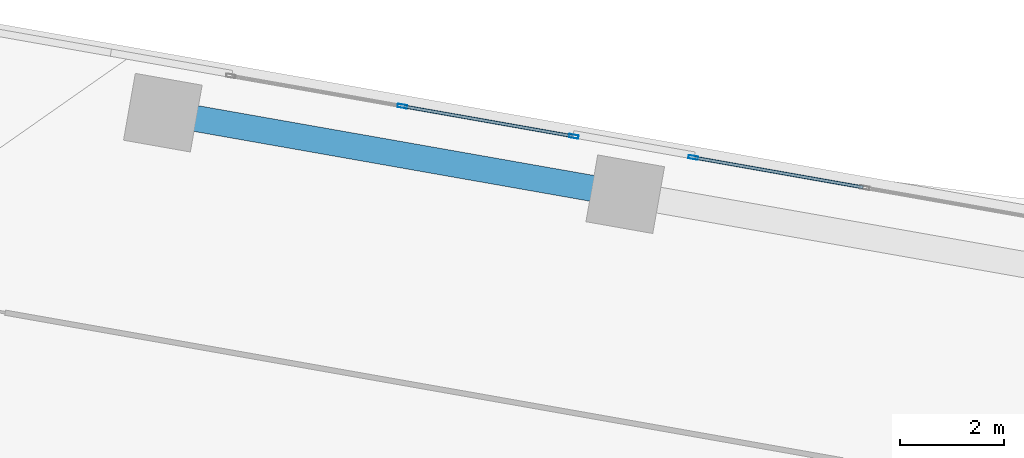
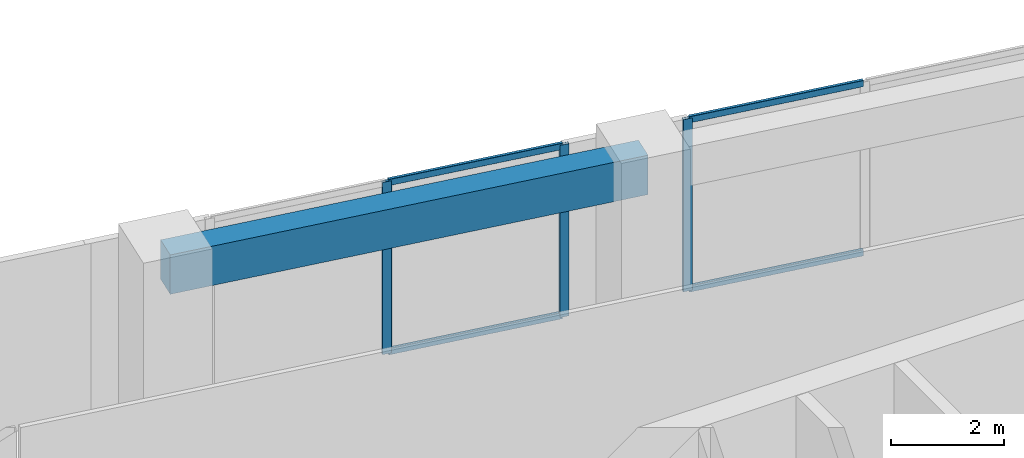
# One storey, part 15 of 24: 7 members, 1 beam, 2 elements without a shape of their own.
"""IFC4 building model written with IfcOpenShell, lengths in metres."""

from ifc_helpers import new_model, si_unit, direction, frame, origin, origin_2d, place, context, subcontext, project, spatial, rectangle, hollow_rectangle, extrude, source, transform, mapped, material, material_profile, profile_set, type_object, element, aggregate, save


model = new_model("IFC4")

# Units and contexts
model_context = context("Model", 3, precision=1e-05, world=origin(), true_north=direction((0.0, 1.0)))
body_context = subcontext(model_context, "Body", "Model", "MODEL_VIEW")
ifc_project = project(units=[si_unit("LENGTHUNIT", "METRE"), si_unit("AREAUNIT", "SQUARE_METRE"), si_unit("VOLUMEUNIT", "CUBIC_METRE"), si_unit("PLANEANGLEUNIT", "RADIAN"), si_unit("MASSUNIT", "GRAM", prefix="KILO")], contexts=[model_context])

# Site, building, storey
site_placement = place(None, origin())
site = spatial("IfcSite", under=ifc_project, at=site_placement, CompositionType="ELEMENT")
building_placement = place(site_placement, origin())
building = spatial("IfcBuilding", under=site, at=building_placement, Name="Torre Montelarca", CompositionType="ELEMENT")
storey_placement = place(building_placement, frame((0.0, 0.0, 74.800048828125)))
storey = spatial("IfcBuildingStorey", under=building, at=storey_placement, Name="L16", CompositionType="ELEMENT", Elevation=74.800048828125)

# Beam
ifc_material_1 = material(Name="Concrete C55/67", Category="concrete")
ifc_material_profile_1 = material_profile(ifc_material_1, rectangle(XDim=0.5, YDim=0.85009765625, at=origin_2d()), Name="RCB500X850", Category="concrete")
ifc_profile_set_1 = profile_set([ifc_material_profile_1], Name="Concrete C55/67")
beam_type = type_object("IfcBeamType", Name="BM-SP-RC850-EXT", PredefinedType="SPANDREL", material=ifc_profile_set_1)
shared_shape_1 = source(origin(), body_context, "Body", "SweptSolid", [
    extrude(rectangle(XDim=0.5, YDim=0.85009765625, at=origin_2d()), origin(), (0.0, 0.0, 1.0), 8.999755859375),
])
beam_placement = place(storey_placement, frame((11.82080078125, 49.09033203125, 3.534912109375), z_axis=(0.9848086733, -0.173642958372, 0.0), x_axis=(0.173642958372, 0.9848086733, 0.0)))
element("IfcBeam", 1, at=beam_placement, inside=storey, type_object=beam_type, Name="L16 Grid Girder X 9.0-18.0 at Y=47.1", PredefinedType="SPANDREL", context=body_context, shape_type="MappedRepresentation", body=[
    mapped(shared_shape_1, transform((0.0, 0.0, 0.0), scale=1.0)),
])

# Curtain wall, members
ifc_material_2 = material(Name="Insulated low-E laminated glass", Category="glass")
curtain_wall_type = type_object("IfcCurtainWallType", Name="CW-SYS-Z1", PredefinedType="USERDEFINED", material=ifc_material_2)
curtain_wall_1_placement = place(storey_placement, origin())
curtain_wall_1 = element("IfcCurtainWall", 2, at=curtain_wall_1_placement, inside=storey, type_object=curtain_wall_type, Name="L16 Curtain Wall Run CW-T3-L16-E08-B3", ObjectType="UNITISED GLAZING", PredefinedType="USERDEFINED")
ifc_material_3 = material(Name="Anodised aluminium AA 6063-T6", Category="aluminium")
ifc_material_profile_2 = material_profile(ifc_material_3, hollow_rectangle(XDim=0.06494140625, YDim=0.139892578125, WallThickness=0.00390625, InnerFilletRadius=0.00390625, OuterFilletRadius=0.008056640625, at=origin_2d()), Name="ALU65X140X4", Category="aluminium")
ifc_profile_set_2 = profile_set([ifc_material_profile_2], Name="Anodised aluminium AA 6063-T6")
member_type_1 = type_object("IfcMemberType", Name="CWT-ALU140", PredefinedType="USERDEFINED", material=ifc_profile_set_2)
shared_shape_2 = source(origin(), body_context, "Body", "SweptSolid", [
    extrude(hollow_rectangle(XDim=0.06494140625, YDim=0.139892578125, WallThickness=0.00390625, InnerFilletRadius=0.00390625, OuterFilletRadius=0.008056640625, at=origin_2d()), origin(), (0.0, 0.0, 1.0), 3.272705078125),
])
member_1_placement = place(storey_placement, frame((25.243408203125, 47.657958984375, 0.032470703125), z_axis=(-0.984816586048, 0.17359807558, 0.0), x_axis=(-0.17359807558, -0.984816586048, 0.0)))
member_1 = element("IfcMember", 3, at=member_1_placement, type_object=member_type_1, Name="CW transom 2.1", ObjectType="TRANSOM", PredefinedType="USERDEFINED", context=body_context, shape_type="MappedRepresentation", body=[
    mapped(shared_shape_2, transform((0.0, 0.0, 0.0), scale=1.0)),
])
member_2_placement = place(storey_placement, frame((25.243408203125, 47.657958984375, 3.6875), z_axis=(-0.984816586048, 0.17359807558, 0.0), x_axis=(-0.17359807558, -0.984816586048, 0.0)))
member_2 = element("IfcMember", 4, at=member_2_placement, type_object=member_type_1, Name="CW transom 2.2", ObjectType="TRANSOM", PredefinedType="USERDEFINED", context=body_context, shape_type="MappedRepresentation", body=[
    mapped(shared_shape_2, transform((0.0, 0.0, 0.0), scale=1.0)),
])

curtain_wall_2_placement = place(storey_placement, origin())
curtain_wall_2 = element("IfcCurtainWall", 5, at=curtain_wall_2_placement, inside=storey, type_object=curtain_wall_type, Name="L16 Curtain Wall Run CW-T3-L16-E08-B4", ObjectType="UNITISED GLAZING", PredefinedType="USERDEFINED")
shared_shape_3 = source(origin(), body_context, "Body", "SweptSolid", [
    extrude(hollow_rectangle(XDim=0.06494140625, YDim=0.139892578125, WallThickness=0.00390625, InnerFilletRadius=0.00390625, OuterFilletRadius=0.008056640625, at=origin_2d()), origin(), (0.0, 0.0, 1.0), 3.2724609375),
])
member_3_placement = place(storey_placement, frame((19.666748046875, 48.64111328125, 0.032470703125), z_axis=(-0.984801579175, 0.1736831876, 0.0), x_axis=(-0.1736831876, -0.984801579175, 0.0)))
member_3 = element("IfcMember", 6, at=member_3_placement, type_object=member_type_1, Name="CW transom 1.1", ObjectType="TRANSOM", PredefinedType="USERDEFINED", context=body_context, shape_type="MappedRepresentation", body=[
    mapped(shared_shape_3, transform((0.0, 0.0, 0.0), scale=1.0)),
])
member_4_placement = place(storey_placement, frame((19.666748046875, 48.64111328125, 3.6875), z_axis=(-0.984801579175, 0.1736831876, 0.0), x_axis=(-0.1736831876, -0.984801579175, 0.0)))
member_4 = element("IfcMember", 7, at=member_4_placement, type_object=member_type_1, Name="CW transom 1.2", ObjectType="TRANSOM", PredefinedType="USERDEFINED", context=body_context, shape_type="MappedRepresentation", body=[
    mapped(shared_shape_3, transform((0.0, 0.0, 0.0), scale=1.0)),
])

# Member
ifc_material_profile_3 = material_profile(ifc_material_3, hollow_rectangle(XDim=0.06494140625, YDim=0.179931640625, WallThickness=0.00390625, InnerFilletRadius=0.00390625, OuterFilletRadius=0.008056640625, at=origin_2d()), Name="ALU65X180X4", Category="aluminium")
ifc_profile_set_3 = profile_set([ifc_material_profile_3], Name="Anodised aluminium AA 6063-T6")
member_type_2 = type_object("IfcMemberType", Name="CWM-ALU180", PredefinedType="MULLION", material=ifc_profile_set_3)
shared_shape_4 = source(origin(), body_context, "Body", "SweptSolid", [
    extrude(hollow_rectangle(XDim=0.06494140625, YDim=0.179931640625, WallThickness=0.00390625, InnerFilletRadius=0.00390625, OuterFilletRadius=0.008056640625, at=origin_2d()), origin(), (0.0, 0.0, 1.0), 3.719970703125),
])
member_5_placement = place(storey_placement, frame((21.988525390625, 48.231689453125, 0.0), z_axis=(0.0, 0.0, 1.0), x_axis=(-0.173649909131, -0.984807447707, 0.0)))
member_5 = element("IfcMember", 8, at=member_5_placement, type_object=member_type_2, Name="CW mullion 3", PredefinedType="MULLION", context=body_context, shape_type="MappedRepresentation", body=[
    mapped(shared_shape_4, transform((0.0, 0.0, 0.0), scale=1.0)),
])

aggregate(curtain_wall_1, [member_5, member_1, member_2])

member_6_placement = place(storey_placement, frame((19.69873046875, 48.635498046875, 0.0), z_axis=(0.0, 0.0, 1.0), x_axis=(-0.173652446425, -0.984807000305, 0.0)))
member_6 = element("IfcMember", 9, at=member_6_placement, type_object=member_type_2, Name="CW mullion 1", PredefinedType="MULLION", context=body_context, shape_type="MappedRepresentation", body=[
    mapped(shared_shape_4, transform((0.0, 0.0, 0.0), scale=1.0)),
])

member_7_placement = place(storey_placement, frame((16.412109375, 49.215087890625, 0.0), z_axis=(0.0, 0.0, 1.0), x_axis=(-0.173652446425, -0.984807000305, 0.0)))
member_7 = element("IfcMember", 10, at=member_7_placement, type_object=member_type_2, Name="CW mullion 2", PredefinedType="MULLION", context=body_context, shape_type="MappedRepresentation", body=[
    mapped(shared_shape_4, transform((0.0, 0.0, 0.0), scale=1.0)),
])

aggregate(curtain_wall_2, [member_6, member_7, member_3, member_4])

save(model, "model.ifc")
